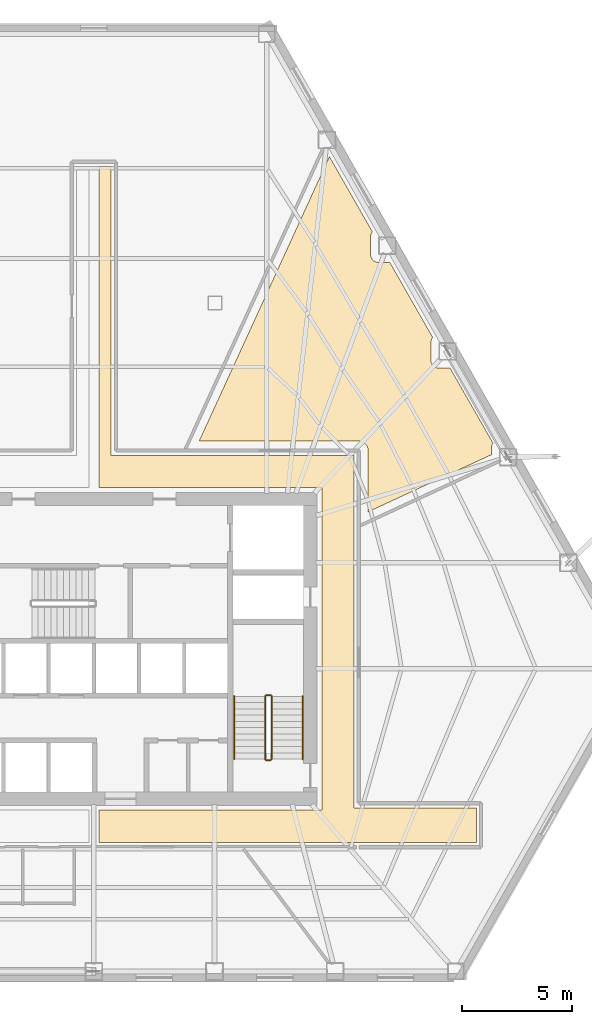
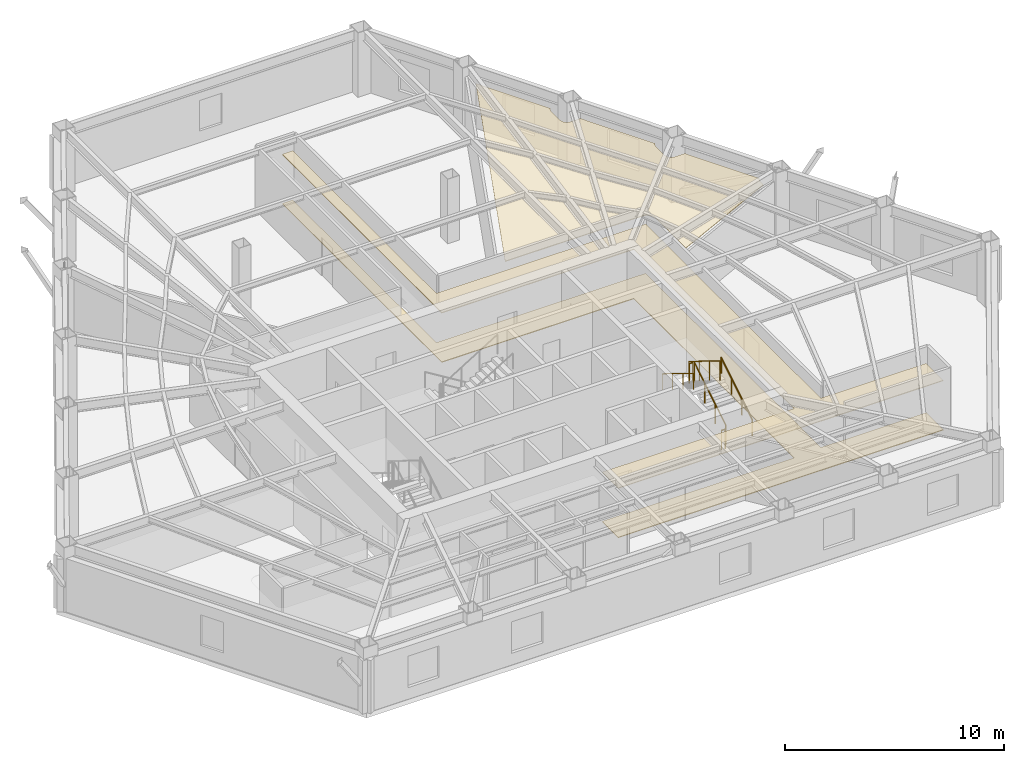
# One storey, part 12 of 12: 6 railings, 3 coverings.
"""IFC4 building model written with IfcOpenShell, lengths in metres."""

from ifc_helpers import new_model, si_unit, direction, frame, origin, origin_2d, place, context, subcontext, project, spatial, polyline, circle, outline, extrude, material, layer, layer_set, type_object, element, save


model = new_model("IFC4")

# Units and contexts
model_context = context("Model", 3, precision=1e-05, world=origin(), true_north=direction((0.0, 1.0)))
body_context = subcontext(model_context, "Body", "Model", "MODEL_VIEW")
ifc_project = project(units=[si_unit("LENGTHUNIT", "METRE"), si_unit("AREAUNIT", "SQUARE_METRE"), si_unit("VOLUMEUNIT", "CUBIC_METRE"), si_unit("PLANEANGLEUNIT", "RADIAN"), si_unit("MASSUNIT", "GRAM", prefix="KILO")], contexts=[model_context])

# Site, building, storey
site_placement = place(None, origin())
site = spatial("IfcSite", under=ifc_project, at=site_placement, CompositionType="ELEMENT")
building_placement = place(site_placement, origin())
building = spatial("IfcBuilding", under=site, at=building_placement, Name="Kavelnor Concourse Tower", CompositionType="ELEMENT")
storey_placement = place(building_placement, frame((0.0, 0.0, 29.10009765625)))
storey = spatial("IfcBuildingStorey", under=building, at=storey_placement, Name="L07", CompositionType="ELEMENT", Elevation=29.10009765625)

# Coverings
ifc_material_1 = material(Name="Mineral fibre acoustic ceiling tile")
ifc_layer_1 = layer(ifc_material_1, 0.0400390625, Name="Mineral fibre acoustic ceiling tile")
ifc_layer_set_1 = layer_set([ifc_layer_1], Name="Mineral fibre acoustic ceiling tile")
covering_type_1 = type_object("IfcCoveringType", Name="COV-CEILING-ACOUSTIC", PredefinedType="CEILING", material=ifc_layer_set_1)
covering_1_placement = place(storey_placement, frame((0.0, 0.0, 2.75)))
element("IfcCovering", 1, at=covering_1_placement, inside=storey, type_object=covering_type_1, Name="L07 Suspended Acoustic Ceiling", PredefinedType="CEILING", context=body_context, shape_type="SweptSolid", body=[
    extrude(outline(polyline([(38.780029296875, 37.97998046875), (38.780029296875, 24.8798828125), (49.800048828125, 24.8798828125), (49.800048828125, 8.8798828125), (55.349609375, 8.8798828125), (55.349609375, 7.320068359375), (38.22509765625, 7.320068359375), (38.22509765625, 8.780029296875), (48.340087890625, 8.780029296875), (48.340087890625, 23.419921875), (38.22509765625, 23.419921875), (38.22509765625, 37.97998046875), (38.780029296875, 37.97998046875)])), origin(), (0.0, 0.0, 1.0), 0.039794921875),
])
covering_2_placement = place(storey_placement, frame((0.0, 0.0, 2.75)))
element("IfcCovering", 2, at=covering_2_placement, inside=storey, type_object=covering_type_1, Name="L07 Suspended Acoustic Ceiling", PredefinedType="CEILING", context=body_context, shape_type="SweptSolid", body=[
    extrude(outline(polyline([(50.44091796875, 25.1416015625), (50.434814453125, 25.1826171875), (50.4248046875, 25.222900390625), (50.41064453125, 25.26171875), (50.39306640625, 25.29931640625), (50.37158203125, 25.3349609375), (50.346923828125, 25.368408203125), (50.319091796875, 25.39892578125), (50.288330078125, 25.427001953125), (50.2548828125, 25.45166015625), (50.219482421875, 25.472900390625), (50.181884765625, 25.49072265625), (50.142822265625, 25.504638671875), (50.1025390625, 25.514892578125), (50.0615234375, 25.52099609375), (50.0283203125, 25.5224609375), (42.77294921875, 25.5224609375), (48.685791015625, 38.430419921875), (48.689208984375, 38.430419921875), (50.635498046875, 35.020263671875), (50.615966796875, 34.993896484375), (50.59765625, 34.963623046875), (50.58251953125, 34.931640625), (50.57080078125, 34.898193359375), (50.56201171875, 34.864013671875), (50.556884765625, 34.8291015625), (50.5556640625, 34.802001953125), (50.5556640625, 33.9853515625), (50.556884765625, 33.95849609375), (50.56201171875, 33.92333984375), (50.57080078125, 33.88916015625), (50.58251953125, 33.855712890625), (50.59765625, 33.82373046875), (50.615966796875, 33.79345703125), (50.636962890625, 33.76513671875), (50.660888671875, 33.739013671875), (50.68701171875, 33.715087890625), (50.71533203125, 33.694091796875), (50.74560546875, 33.67578125), (50.777587890625, 33.66064453125), (50.81103515625, 33.648681640625), (50.84521484375, 33.64013671875), (50.88037109375, 33.635009765625), (50.9072265625, 33.6337890625), (51.427001953125, 33.6337890625), (53.37353515625, 30.223388671875), (53.35400390625, 30.197021484375), (53.335693359375, 30.166748046875), (53.320556640625, 30.134765625), (53.30859375, 30.101318359375), (53.300048828125, 30.067138671875), (53.294921875, 30.031982421875), (53.293701171875, 30.005126953125), (53.293701171875, 29.1884765625), (53.294921875, 29.16162109375), (53.300048828125, 29.12646484375), (53.30859375, 29.09228515625), (53.320556640625, 29.058837890625), (53.335693359375, 29.02685546875), (53.35400390625, 28.99658203125), (53.375, 28.96826171875), (53.398681640625, 28.94189453125), (53.425048828125, 28.918212890625), (53.453369140625, 28.897216796875), (53.483642578125, 28.87890625), (53.515625, 28.86376953125), (53.549072265625, 28.851806640625), (53.583251953125, 28.84326171875), (53.618408203125, 28.838134765625), (53.645263671875, 28.8369140625), (54.164794921875, 28.8369140625), (56.111328125, 25.426513671875), (56.091796875, 25.400146484375), (56.073486328125, 25.369873046875), (56.05859375, 25.337890625), (56.046630859375, 25.304443359375), (56.0380859375, 25.270263671875), (56.03271484375, 25.235107421875), (56.031494140625, 25.208251953125), (56.031494140625, 24.905517578125), (50.4423828125, 22.31787109375), (50.4423828125, 25.1083984375), (50.44091796875, 25.1416015625)])), origin(), (0.0, 0.0, 1.0), 0.039794921875),
])
ifc_material_2 = material(Name="Honed bluestone and raised access floor finish", Category="masonry")
ifc_layer_2 = layer(ifc_material_2, 0.0400390625, Name="Honed bluestone and raised access floor finish")
ifc_layer_set_2 = layer_set([ifc_layer_2], Name="Honed bluestone and raised access floor finish")
covering_type_2 = type_object("IfcCoveringType", Name="COV-FLOOR-STONE", PredefinedType="FLOORING", material=ifc_layer_set_2)
covering_3_placement = place(storey_placement, frame((0.0, 0.0, 0.001953125)))
element("IfcCovering", 3, at=covering_3_placement, inside=storey, type_object=covering_type_2, Name="L07 Honed Bluestone Floor Finish", PredefinedType="FLOORING", context=body_context, shape_type="SweptSolid", body=[
    extrude(outline(polyline([(38.780029296875, 37.97998046875), (38.780029296875, 24.8798828125), (49.800048828125, 24.8798828125), (49.800048828125, 8.8798828125), (55.349609375, 8.8798828125), (55.349609375, 7.320068359375), (38.22509765625, 7.320068359375), (38.22509765625, 8.780029296875), (48.340087890625, 8.780029296875), (48.340087890625, 23.419921875), (38.22509765625, 23.419921875), (38.22509765625, 37.97998046875), (38.780029296875, 37.97998046875)])), origin(), (0.0, 0.0, 1.0), 0.0400390625),
])

# Railings
ifc_material_3 = material(Name="Steel Grade 350", Category="steel")
railing_type_1 = type_object("IfcRailingType", Name="RLG-GUARD-1100", PredefinedType="GUARDRAIL", material=ifc_material_3)
railing_1_placement = place(storey_placement, frame((46.070068359375, 11.10009765625, 0.1748046875)))
element("IfcRailing", 4, at=railing_1_placement, inside=storey, type_object=railing_type_1, Name="L07 ST2 stair guard 1", PredefinedType="GUARDRAIL", context=body_context, shape_type="SweptSolid", body=[
    extrude(circle(Radius=0.02392578125, at=origin_2d()), frame((0.0, 0.0, 1.076171875), z_axis=(0.0, 0.852159232446, 0.523282564737), x_axis=(-1.0, 0.0, 0.0)), (0.0, 0.0, 1.0), 3.34423828125),
    extrude(circle(Radius=0.02099609375, at=origin_2d()), origin(), (0.0, 0.0, 1.0), 1.052001953125),
    extrude(circle(Radius=0.02099609375, at=origin_2d()), frame((0.0, 0.949951171875, 0.583251953125)), (0.0, 0.0, 1.0), 1.052001953125),
    extrude(circle(Radius=0.02099609375, at=origin_2d()), frame((0.0, 1.89990234375, 1.166748046875)), (0.0, 0.0, 1.0), 1.052001953125),
    extrude(circle(Radius=0.02099609375, at=origin_2d()), frame((0.0, 2.849853515625, 1.75)), (0.0, 0.0, 1.0), 1.052001953125),
])
railing_2_placement = place(storey_placement, frame((46.02001953125, 14.0, 1.9248046875)))
element("IfcRailing", 5, at=railing_2_placement, inside=storey, type_object=railing_type_1, Name="L07 ST2 stair guard 2", PredefinedType="GUARDRAIL", context=body_context, shape_type="SweptSolid", body=[
    extrude(circle(Radius=0.02392578125, at=origin_2d()), frame((0.0, 0.0, 1.076171875), z_axis=(-1.0, 0.0, 0.0), x_axis=(0.0, -1.0, 0.0)), (0.0, 0.0, 1.0), 0.199951171875),
    extrude(circle(Radius=0.02099609375, at=origin_2d()), origin(), (0.0, 0.0, 1.0), 1.052001953125),
    extrude(circle(Radius=0.02099609375, at=origin_2d()), frame((-0.199951171875, 0.0, 0.0)), (0.0, 0.0, 1.0), 1.052001953125),
])
railing_3_placement = place(storey_placement, frame((45.77001953125, 13.949951171875, 2.099853515625)))
element("IfcRailing", 6, at=railing_3_placement, inside=storey, type_object=railing_type_1, Name="L07 ST2 stair guard 3", PredefinedType="GUARDRAIL", context=body_context, shape_type="SweptSolid", body=[
    extrude(circle(Radius=0.02392578125, at=origin_2d()), frame((0.0, 0.0, 1.076171875), z_axis=(0.0, -0.852159232446, 0.523282564737), x_axis=(1.0, 0.0, 0.0)), (0.0, 0.0, 1.0), 3.34423828125),
    extrude(circle(Radius=0.02099609375, at=origin_2d()), origin(), (0.0, 0.0, 1.0), 1.052001953125),
    extrude(circle(Radius=0.02099609375, at=origin_2d()), frame((0.0, -0.949951171875, 0.583251953125)), (0.0, 0.0, 1.0), 1.052001953125),
    extrude(circle(Radius=0.02099609375, at=origin_2d()), frame((0.0, -1.89990234375, 1.166748046875)), (0.0, 0.0, 1.0), 1.052001953125),
    extrude(circle(Radius=0.02099609375, at=origin_2d()), frame((0.0, -2.849853515625, 1.75)), (0.0, 0.0, 1.0), 1.052001953125),
])
railing_4_placement = place(storey_placement, frame((46.02001953125, 11.050048828125, 0.0)))
element("IfcRailing", 7, at=railing_4_placement, inside=storey, type_object=railing_type_1, Name="L07 ST2 stair guard 4", PredefinedType="GUARDRAIL", context=body_context, shape_type="SweptSolid", body=[
    extrude(circle(Radius=0.02392578125, at=origin_2d()), frame((0.0, 0.0, 1.076171875), z_axis=(-1.0, 0.0, 0.0), x_axis=(0.0, -1.0, 0.0)), (0.0, 0.0, 1.0), 0.199951171875),
    extrude(circle(Radius=0.02099609375, at=origin_2d()), origin(), (0.0, 0.0, 1.0), 1.052001953125),
    extrude(circle(Radius=0.02099609375, at=origin_2d()), frame((-0.199951171875, 0.0, 0.0)), (0.0, 0.0, 1.0), 1.052001953125),
])
railing_type_2 = type_object("IfcRailingType", Name="RLG-HANDRAIL-900", PredefinedType="HANDRAIL", material=ifc_material_3)
railing_5_placement = place(storey_placement, frame((47.469970703125, 11.10009765625, 0.1748046875)))
element("IfcRailing", 8, at=railing_5_placement, inside=storey, type_object=railing_type_2, Name="L07 ST2 stair handrail 1", PredefinedType="HANDRAIL", context=body_context, shape_type="SweptSolid", body=[
    extrude(circle(Radius=0.02392578125, at=origin_2d()), frame((0.0, 0.0, 0.8759765625), z_axis=(0.0, 0.852159232446, 0.523282564737), x_axis=(-1.0, 0.0, 0.0)), (0.0, 0.0, 1.0), 3.34423828125),
    extrude(circle(Radius=0.02099609375, at=origin_2d()), origin(), (0.0, 0.0, 1.0), 0.851806640625),
    extrude(circle(Radius=0.02099609375, at=origin_2d()), frame((0.0, 0.949951171875, 0.583251953125)), (0.0, 0.0, 1.0), 0.851806640625),
    extrude(circle(Radius=0.02099609375, at=origin_2d()), frame((0.0, 1.89990234375, 1.166748046875)), (0.0, 0.0, 1.0), 0.851806640625),
    extrude(circle(Radius=0.02099609375, at=origin_2d()), frame((0.0, 2.849853515625, 1.75)), (0.0, 0.0, 1.0), 0.851806640625),
])
railing_6_placement = place(storey_placement, frame((44.3701171875, 13.949951171875, 2.099853515625)))
element("IfcRailing", 9, at=railing_6_placement, inside=storey, type_object=railing_type_2, Name="L07 ST2 stair handrail 2", PredefinedType="HANDRAIL", context=body_context, shape_type="SweptSolid", body=[
    extrude(circle(Radius=0.02392578125, at=origin_2d()), frame((0.0, 0.0, 0.8759765625), z_axis=(0.0, -0.852159232446, 0.523282564737), x_axis=(1.0, 0.0, 0.0)), (0.0, 0.0, 1.0), 3.34423828125),
    extrude(circle(Radius=0.02099609375, at=origin_2d()), origin(), (0.0, 0.0, 1.0), 0.851806640625),
    extrude(circle(Radius=0.02099609375, at=origin_2d()), frame((0.0, -0.949951171875, 0.583251953125)), (0.0, 0.0, 1.0), 0.851806640625),
    extrude(circle(Radius=0.02099609375, at=origin_2d()), frame((0.0, -1.89990234375, 1.166748046875)), (0.0, 0.0, 1.0), 0.851806640625),
    extrude(circle(Radius=0.02099609375, at=origin_2d()), frame((0.0, -2.849853515625, 1.75)), (0.0, 0.0, 1.0), 0.851806640625),
])

save(model, "model.ifc")
